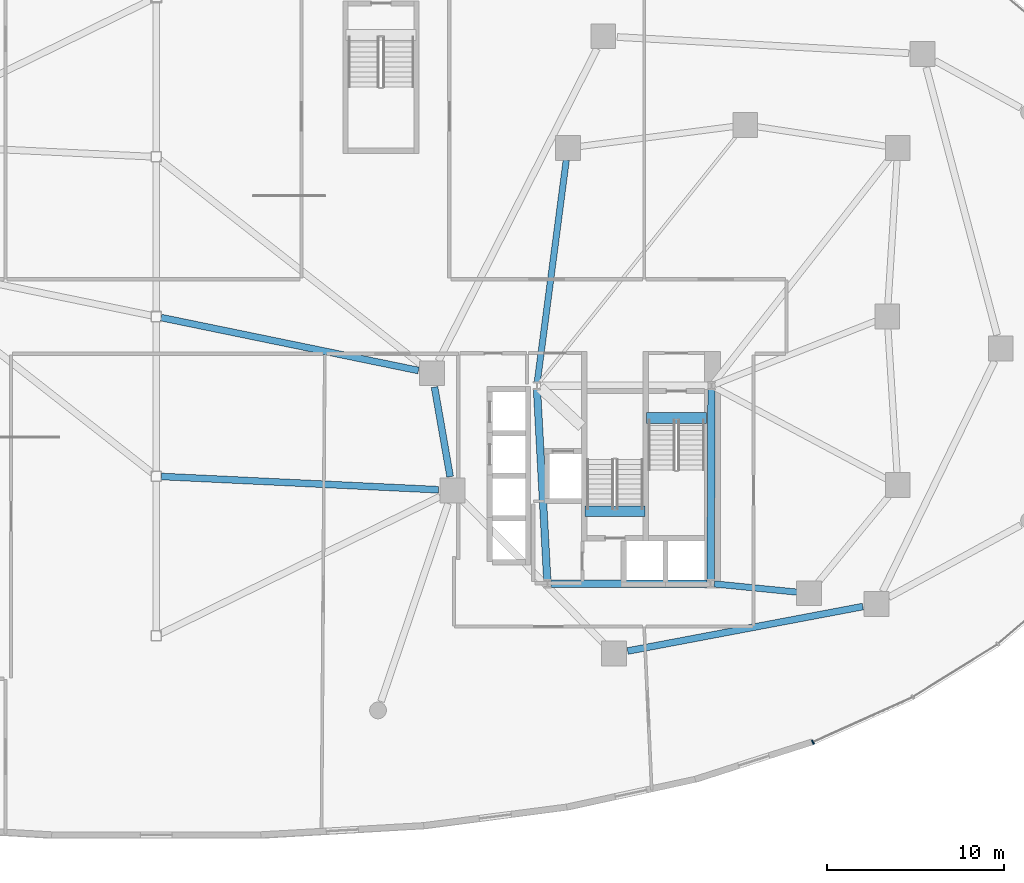
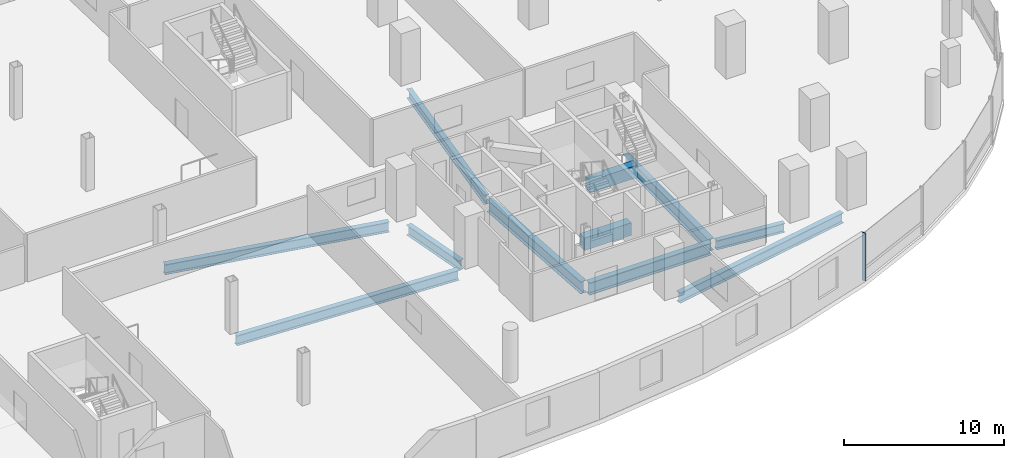
# One storey, part 7 of 18: 11 beams, 1 member, 1 element without a shape of its own.
"""IFC4 building model written with IfcOpenShell, lengths in metres."""

from ifc_helpers import new_model, si_unit, direction, frame, origin, origin_2d, place, context, subcontext, project, spatial, rectangle, i_section, extrude, material, material_profile, profile_set, type_object, element, aggregate, save


model = new_model("IFC4")

# Units and contexts
model_context = context("Model", 3, precision=1e-05, world=origin(), true_north=direction((0.0, 1.0)))
body_context = subcontext(model_context, "Body", "Model", "MODEL_VIEW")
ifc_project = project(units=[si_unit("LENGTHUNIT", "METRE"), si_unit("AREAUNIT", "SQUARE_METRE"), si_unit("VOLUMEUNIT", "CUBIC_METRE"), si_unit("PLANEANGLEUNIT", "RADIAN"), si_unit("MASSUNIT", "GRAM", prefix="KILO"), si_unit("THERMODYNAMICTEMPERATUREUNIT", "KELVIN"), si_unit("POWERUNIT", "WATT")], contexts=[model_context])

# Site, building, storey
site_placement = place(None, origin())
site = spatial("IfcSite", under=ifc_project, at=site_placement, CompositionType="ELEMENT")
building_placement = place(site_placement, origin())
building = spatial("IfcBuilding", under=site, at=building_placement, Name="Cundina Bronze Exchange", CompositionType="ELEMENT")
storey_placement = place(building_placement, frame((0.0, 0.0, 12.0)))
storey = spatial("IfcBuildingStorey", under=building, at=storey_placement, Name="L02", CompositionType="ELEMENT", Elevation=12.0)

# Beams
ifc_material_1 = material(Name="Concrete C60/75", Category="concrete")
ifc_material_profile_1 = material_profile(ifc_material_1, rectangle(XDim=0.60009765625, YDim=0.949951171875, at=origin_2d()), Name="RC600X950", Category="concrete")
ifc_profile_set_1 = profile_set([ifc_material_profile_1], Name="Concrete C60/75")
beam_type_1 = type_object("IfcBeamType", Name="BM-COUP-RC950", PredefinedType="LINTEL", material=ifc_profile_set_1)
beam_1_placement = place(storey_placement, frame((27.6201171875, -5.719970703125, -0.47509765625), z_axis=(1.0, 0.0, 0.0), x_axis=(0.0, 1.0, 0.0)))
element("IfcBeam", 1, at=beam_1_placement, inside=storey, type_object=beam_type_1, Name="L02 Stair E1 Landing Header Beam", PredefinedType="LINTEL", context=body_context, shape_type="SweptSolid", body=[
    extrude(rectangle(XDim=0.60009765625, YDim=0.949951171875, at=origin_2d()), origin(), (0.0, 0.0, 1.0), 3.39990234375),
])
beam_2_placement = place(storey_placement, frame((24.159912109375, -10.97998046875, -0.47509765625), z_axis=(1.0, 0.0, 0.0), x_axis=(0.0, 1.0, 0.0)))
element("IfcBeam", 2, at=beam_2_placement, inside=storey, type_object=beam_type_1, Name="L02 Stair E2 Landing Header Beam", PredefinedType="LINTEL", context=body_context, shape_type="SweptSolid", body=[
    extrude(rectangle(XDim=0.60009765625, YDim=0.949951171875, at=origin_2d()), origin(), (0.0, 0.0, 1.0), 3.400146484375),
])
ifc_material_2 = material(Name="Steel ASTM A992 Grade 50", Category="steel")
ifc_material_profile_2 = material_profile(ifc_material_2, i_section(OverallWidth=0.35498046875, OverallDepth=0.695068359375, WebThickness=0.015380859375, FlangeThickness=0.02490234375, FilletRadius=0.01806640625, at=origin_2d()), Name="W27X146", Category="steel")
ifc_profile_set_2 = profile_set([ifc_material_profile_2], Name="Steel ASTM A992 Grade 50")
beam_type_2 = type_object("IfcBeamType", Name="BM-RING-W27", PredefinedType="USERDEFINED", material=ifc_profile_set_2)
beam_3_placement = place(storey_placement, frame((31.452880859375, -15.070068359375, -0.697509765625), z_axis=(0.995123484374, -0.098636964914, 0.0), x_axis=(0.098636964914, 0.995123484374, 0.0)))
element("IfcBeam", 3, at=beam_3_placement, inside=storey, type_object=beam_type_2, Name="L02 E Inner Structural Ring Girder 01", ObjectType="GIRDER", PredefinedType="USERDEFINED", context=body_context, shape_type="SweptSolid", body=[
    extrude(i_section(OverallWidth=0.35498046875, OverallDepth=0.695068359375, WebThickness=0.015380859375, FlangeThickness=0.02490234375, FilletRadius=0.01806640625, at=origin_2d()), origin(), (0.0, 0.0, 1.0), 4.685546875),
])
beam_4_placement = place(storey_placement, frame((23.11083984375, 8.81787109375, -0.697509765625), z_axis=(-0.129498776905, -0.991579581668, 0.0), x_axis=(0.991579581668, -0.129498776905, 0.0)))
element("IfcBeam", 4, at=beam_4_placement, inside=storey, type_object=beam_type_2, Name="L02 E Inner Structural Ring Girder 07", ObjectType="GIRDER", PredefinedType="USERDEFINED", context=body_context, shape_type="SweptSolid", body=[
    extrude(i_section(OverallWidth=0.35498046875, OverallDepth=0.695068359375, WebThickness=0.015380859375, FlangeThickness=0.02490234375, FilletRadius=0.01806640625, at=origin_2d()), origin(), (0.0, 0.0, 1.0), 12.621826171875),
])
ifc_material_profile_3 = material_profile(ifc_material_2, i_section(OverallWidth=0.381103515625, OverallDepth=0.77294921875, WebThickness=0.0166015625, FlangeThickness=0.027099609375, FilletRadius=0.01904296875, at=origin_2d()), Name="W30X173", Category="steel")
ifc_profile_set_3 = profile_set([ifc_material_profile_3], Name="Steel ASTM A992 Grade 50")
beam_type_3 = type_object("IfcBeamType", Name="BM-RING-W30", PredefinedType="USERDEFINED", material=ifc_profile_set_3)
beam_5_placement = place(storey_placement, frame((0.28759765625, -9.013916015625, -0.736572265625), z_axis=(0.998855248542, -0.047835054714, 0.0), x_axis=(0.047835054714, 0.998855248542, 0.0)))
element("IfcBeam", 5, at=beam_5_placement, inside=storey, type_object=beam_type_3, Name="L02 Concourse East Span Girder 02", ObjectType="GIRDER", PredefinedType="USERDEFINED", context=body_context, shape_type="SweptSolid", body=[
    extrude(i_section(OverallWidth=0.381103515625, OverallDepth=0.77294921875, WebThickness=0.0166015625, FlangeThickness=0.027099609375, FilletRadius=0.01904296875, at=origin_2d()), origin(), (0.0, 0.0, 1.0), 15.64306640625),
])
beam_6_placement = place(storey_placement, frame((0.281982421875, -0.05810546875, -0.736572265625), z_axis=(0.979475533682, -0.201563089177, 0.0), x_axis=(0.201563089177, 0.979475533682, 0.0)))
element("IfcBeam", 6, at=beam_6_placement, inside=storey, type_object=beam_type_3, Name="L02 Concourse East Span Girder 03", ObjectType="GIRDER", PredefinedType="USERDEFINED", context=body_context, shape_type="SweptSolid", body=[
    extrude(i_section(OverallWidth=0.381103515625, OverallDepth=0.77294921875, WebThickness=0.0166015625, FlangeThickness=0.027099609375, FilletRadius=0.01904296875, at=origin_2d()), origin(), (0.0, 0.0, 1.0), 14.800048828125),
])
beam_7_placement = place(storey_placement, frame((15.685302734375, -3.976318359375, -0.736572265625), z_axis=(0.171642817546, -0.985159247627, 0.0), x_axis=(0.985159247627, 0.171642817546, 0.0)))
element("IfcBeam", 7, at=beam_7_placement, inside=storey, type_object=beam_type_3, Name="L02 E Podium Ring Girder 00", ObjectType="GIRDER", PredefinedType="USERDEFINED", context=body_context, shape_type="SweptSolid", body=[
    extrude(i_section(OverallWidth=0.381103515625, OverallDepth=0.77294921875, WebThickness=0.0166015625, FlangeThickness=0.027099609375, FilletRadius=0.01904296875, at=origin_2d()), origin(), (0.0, 0.0, 1.0), 5.123291015625),
])
beam_8_placement = place(storey_placement, frame((26.57421875, -18.853515625, -0.736572265625), z_axis=(0.982569620145, 0.185894974562, 0.0), x_axis=(-0.185894974562, 0.982569620145, 0.0)))
element("IfcBeam", 8, at=beam_8_placement, inside=storey, type_object=beam_type_3, Name="L02 E Podium Ring Girder 04", ObjectType="GIRDER", PredefinedType="USERDEFINED", context=body_context, shape_type="SweptSolid", body=[
    extrude(i_section(OverallWidth=0.381103515625, OverallDepth=0.77294921875, WebThickness=0.0166015625, FlangeThickness=0.027099609375, FilletRadius=0.01904296875, at=origin_2d()), origin(), (0.0, 0.0, 1.0), 13.486572265625),
])
ifc_material_profile_4 = material_profile(ifc_material_2, i_section(OverallWidth=0.41796875, OverallDepth=0.927001953125, WebThickness=0.019287109375, FlangeThickness=0.031982421875, FilletRadius=0.02392578125, at=origin_2d()), Name="W36X231", Category="steel")
ifc_profile_set_4 = profile_set([ifc_material_profile_4], Name="Steel ASTM A992 Grade 50")
beam_type_4 = type_object("IfcBeamType", Name="BM-WRN-W36B", PredefinedType="USERDEFINED", material=ifc_profile_set_4)
beam_9_placement = place(storey_placement, frame((21.4609375, -4.103759765625, -0.8134765625), z_axis=(0.053739193498, -0.998555005537, 0.0), x_axis=(0.998555005537, 0.053739193498, 0.0)))
element("IfcBeam", 9, at=beam_9_placement, inside=storey, type_object=beam_type_4, Name="L02 E Core Perimeter Tie Girder 2", ObjectType="GIRDER", PredefinedType="USERDEFINED", context=body_context, shape_type="SweptSolid", body=[
    extrude(i_section(OverallWidth=0.41796875, OverallDepth=0.927001953125, WebThickness=0.019287109375, FlangeThickness=0.031982421875, FilletRadius=0.02392578125, at=origin_2d()), origin(), (0.0, 0.0, 1.0), 10.758056640625),
])
beam_10_placement = place(storey_placement, frame((22.25390625, -15.050048828125, -0.8134765625), z_axis=(1.0, 0.0, 0.0), x_axis=(0.0, 1.0, 0.0)))
element("IfcBeam", 10, at=beam_10_placement, inside=storey, type_object=beam_type_4, Name="L02 E Core Perimeter Tie Girder 3", ObjectType="GIRDER", PredefinedType="USERDEFINED", context=body_context, shape_type="SweptSolid", body=[
    extrude(i_section(OverallWidth=0.41796875, OverallDepth=0.927001953125, WebThickness=0.019287109375, FlangeThickness=0.031982421875, FilletRadius=0.02392578125, at=origin_2d()), origin(), (0.0, 0.0, 1.0), 8.7919921875),
])
beam_11_placement = place(storey_placement, frame((31.2509765625, -14.845947265625, -0.8134765625), z_axis=(0.004477329608, 0.99998997671, 0.0), x_axis=(-0.99998997671, 0.004477329608, 0.0)))
element("IfcBeam", 11, at=beam_11_placement, inside=storey, type_object=beam_type_4, Name="L02 E Core Perimeter Tie Girder 4", ObjectType="GIRDER", PredefinedType="USERDEFINED", context=body_context, shape_type="SweptSolid", body=[
    extrude(i_section(OverallWidth=0.41796875, OverallDepth=0.927001953125, WebThickness=0.019287109375, FlangeThickness=0.031982421875, FilletRadius=0.02392578125, at=origin_2d()), origin(), (0.0, 0.0, 1.0), 10.741943359375),
])

# Curtain wall, member
ifc_material_3 = material(Name="Anodised Bronze Aluminium 6063-T6", Category="aluminium")
curtain_wall_type = type_object("IfcCurtainWallType", Name="CWS-POD-CONC", PredefinedType="NOTDEFINED", material=ifc_material_3)
curtain_wall_placement = place(storey_placement, origin())
curtain_wall = element("IfcCurtainWall", 12, at=curtain_wall_placement, inside=storey, type_object=curtain_wall_type, Name="L02 CW-01 Curtain Wall Run CWR-L02-06", PredefinedType="NOTDEFINED")
ifc_material_profile_5 = material_profile(ifc_material_3, rectangle(XDim=0.0849609375, YDim=0.25, at=origin_2d()), Name="AL85X250", Category="aluminium")
ifc_profile_set_5 = profile_set([ifc_material_profile_5], Name="Anodised Bronze Aluminium 6063-T6")
member_type = type_object("IfcMemberType", Name="CWM-MUL-250", PredefinedType="MULLION", material=ifc_profile_set_5)
member_placement = place(storey_placement, frame((37.013671875, -23.990478515625, 0.0), z_axis=(0.0, 0.0, 1.0), x_axis=(0.911618620107, 0.411037092578, 0.0)))
member = element("IfcMember", 13, at=member_placement, type_object=member_type, Name="CW-01 Mullion 1", PredefinedType="MULLION", context=body_context, shape_type="SweptSolid", body=[
    extrude(rectangle(XDim=0.0849609375, YDim=0.25, at=origin_2d()), origin(), (0.0, 0.0, 1.0), 3.64990234375),
])
aggregate(curtain_wall, [member])

save(model, "model.ifc")
